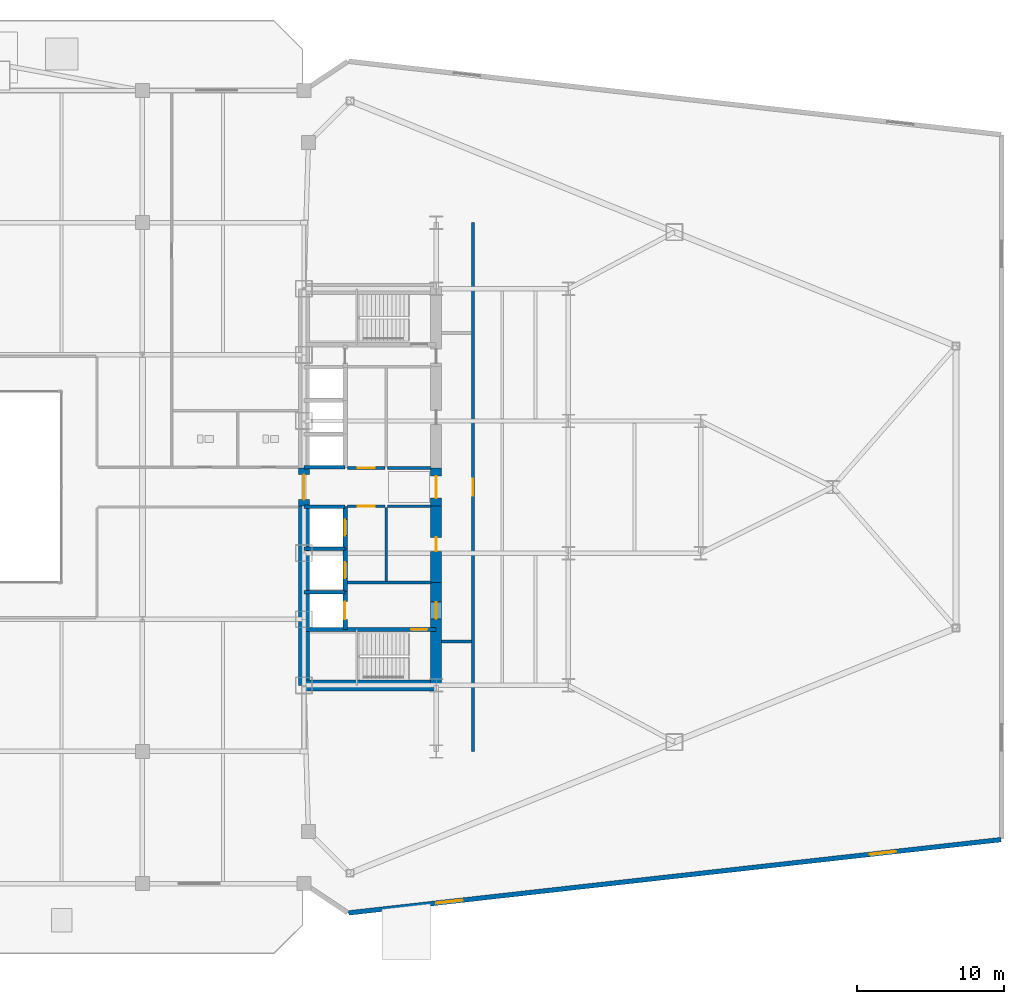
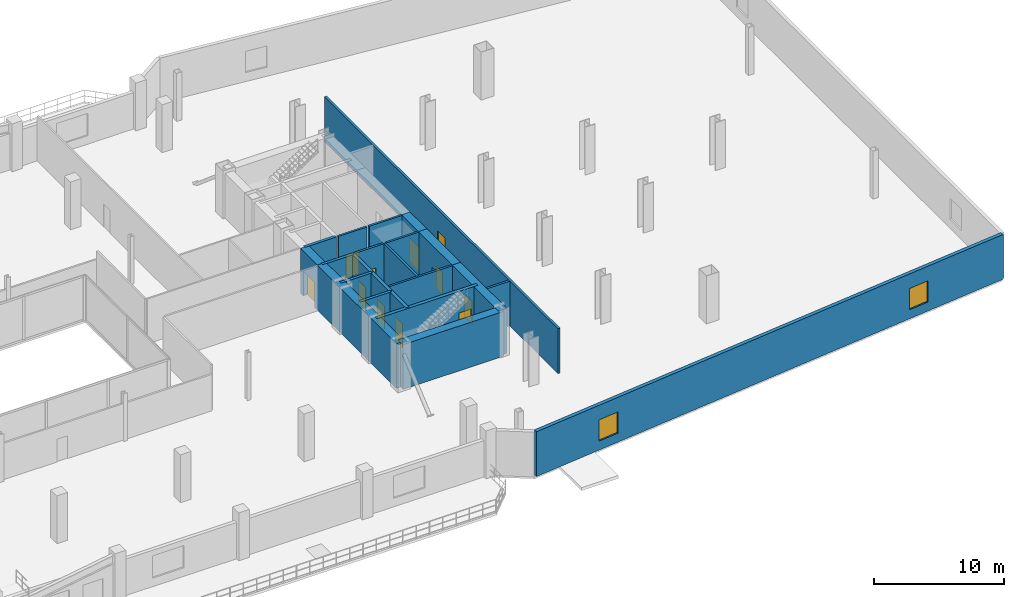
# One storey, part 18 of 25: 23 walls, 11 doors, 2 windows, 13 openings.
"""IFC4 building model written with IfcOpenShell, lengths in metres."""

from ifc_helpers import new_model, si_unit, direction, frame, frame_2d, origin, place, context, subcontext, project, spatial, rectangle, extrude, source, transform, mapped, material, layer, layer_set, type_object, type_shapes, element, fill, save


model = new_model("IFC4")

# Units and contexts
model_context = context("Model", 3, precision=1e-05, world=origin(), true_north=direction((0.0, 1.0)))
body_context = subcontext(model_context, "Body", "Model", "MODEL_VIEW")
ifc_project = project(units=[si_unit("LENGTHUNIT", "METRE"), si_unit("AREAUNIT", "SQUARE_METRE"), si_unit("VOLUMEUNIT", "CUBIC_METRE"), si_unit("PLANEANGLEUNIT", "RADIAN"), si_unit("MASSUNIT", "GRAM", prefix="KILO")], contexts=[model_context])

# Site, building, storey
site_placement = place(None, origin())
site = spatial("IfcSite", under=ifc_project, at=site_placement, CompositionType="ELEMENT")
building_placement = place(site_placement, origin())
building = spatial("IfcBuilding", under=site, at=building_placement, Name="Seokmaru Belvedere", CompositionType="ELEMENT")
storey_placement = place(building_placement, frame((0.0, 0.0, 5.39990234375)))
storey = spatial("IfcBuildingStorey", under=building, at=storey_placement, Name="L01", CompositionType="ELEMENT", Elevation=5.39990234375)

# Walls
ifc_material_1 = material(Name="Fire-Rated Gypsum Shaftwall")
ifc_layer_1 = layer(ifc_material_1, 0.179931640625)
ifc_layer_set_1 = layer_set([ifc_layer_1], Name="Fire-Rated Gypsum Shaftwall")
wall_type_1 = type_object("IfcWallType", Name="Core Service Fire Partition 180", PredefinedType="PARTITIONING", material=ifc_layer_set_1)
wall_1_placement = place(storey_placement, frame((30.449951171875, -6.5, 0.0), z_axis=(0.0, 0.0, 1.0), x_axis=(1.0, 0.0, 0.0)))
element("IfcWall", 1, at=wall_1_placement, inside=storey, type_object=wall_type_1, Name="L01 East Firefighting Lobby Partition", PredefinedType="PARTITIONING", context=body_context, shape_type="SweptSolid", body=[
    extrude(rectangle(XDim=5.699951171875, YDim=0.179931640625, at=frame_2d((2.85009765625, 0.0))), origin(), (0.0, 0.0, 1.0), 4.22021484375),
])
wall_2_placement = place(storey_placement, frame((33.10009765625, -6.419921875, 0.0), z_axis=(0.0, 0.0, 1.0), x_axis=(0.0, 1.0, 0.0)))
element("IfcWall", 2, at=wall_2_placement, inside=storey, type_object=wall_type_1, Name="L01 East South Core Service Back Wall", PredefinedType="PARTITIONING", context=body_context, shape_type="SweptSolid", body=[
    extrude(rectangle(XDim=5.0400390625, YDim=0.179931640625, at=frame_2d((2.52001953125, 0.0))), origin(), (0.0, 0.0, 1.0), 4.22021484375),
])

# Wall, opening, door
wall_3_placement = place(storey_placement, frame((30.449951171875, -1.300048828125, 0.0), z_axis=(0.0, 0.0, 1.0), x_axis=(1.0, 0.0, 0.0)))
wall_3 = element("IfcWall", 3, at=wall_3_placement, inside=storey, type_object=wall_type_1, Name="L01 East South Lift Lobby Foyer Wall", PredefinedType="PARTITIONING", context=body_context, shape_type="SweptSolid", body=[
    extrude(rectangle(XDim=2.570068359375, YDim=0.179931640625, at=frame_2d((1.28515625, 0.0))), origin(), (0.0, 0.0, 1.0), 4.22021484375),
])
opening_1_placement = place(wall_3_placement, frame((0.7099609375, 0.0, 0.0)))
opening_1 = element("IfcOpeningElement", 4, at=opening_1_placement, cuts=wall_3, Name="Opening D02", PredefinedType="OPENING", context=body_context, shape_type="SweptSolid", body=[
    extrude(rectangle(XDim=1.14990234375, YDim=2.199951171875, at=frame_2d((0.574951171875, 1.10009765625))), frame((0.0, 0.10009765625, 0.0), z_axis=(0.0, -1.0, 0.0), x_axis=(1.0, 0.0, 0.0)), (0.0, 0.0, 1.0), 0.199951171875),
])
ifc_material_2 = material(Name="Fire-Rated Steel Leaf", Category="steel")
door_type_1 = type_object("IfcDoorType", Name="Lobby and Vestibule Fire Door 1150x2200", OperationType="NOTDEFINED", PredefinedType="DOOR", material=ifc_material_2)
shared_shape_1 = source(origin(), body_context, "Body", "SweptSolid", [
    extrude(rectangle(XDim=1.14990234375, YDim=2.199951171875, at=frame_2d((0.574951171875, 1.10009765625))), frame((0.0, 0.02490234375, 0.0), z_axis=(0.0, -1.0, 0.0), x_axis=(1.0, 0.0, 0.0)), (0.0, 0.0, 1.0), 0.050048828125),
])
type_shapes(door_type_1, [shared_shape_1])
door_1_placement = place(opening_1_placement, origin())
door_1 = element("IfcDoor", 5, at=door_1_placement, inside=storey, type_object=door_type_1, Name="L01 East South Core Foyer Door", OperationType="SINGLE_SWING_RIGHT", OverallHeight=2.199951171875, OverallWidth=1.14990234375, PredefinedType="DOOR", context=body_context, shape_type="MappedRepresentation", body=[
    mapped(shared_shape_1, transform((0.0, 0.0, 0.0), scale=1.0)),
])
fill(opening_1, door_1)

wall_4_placement = place(storey_placement, frame((30.449951171875, 1.300048828125, 0.0), z_axis=(0.0, 0.0, 1.0), x_axis=(1.0, 0.0, 0.0)))
wall_4 = element("IfcWall", 6, at=wall_4_placement, inside=storey, type_object=wall_type_1, Name="L01 East North Lift Lobby Foyer Wall", PredefinedType="PARTITIONING", context=body_context, shape_type="SweptSolid", body=[
    extrude(rectangle(XDim=2.570068359375, YDim=0.179931640625, at=frame_2d((1.28515625, 0.0))), origin(), (0.0, 0.0, 1.0), 4.22021484375),
])
opening_2_placement = place(wall_4_placement, frame((0.7099609375, 0.0, 0.0)))
opening_2 = element("IfcOpeningElement", 7, at=opening_2_placement, cuts=wall_4, Name="Opening D02", PredefinedType="OPENING", context=body_context, shape_type="SweptSolid", body=[
    extrude(rectangle(XDim=1.14990234375, YDim=2.199951171875, at=frame_2d((0.574951171875, 1.10009765625))), frame((0.0, 0.10009765625, 0.0), z_axis=(0.0, -1.0, 0.0), x_axis=(1.0, 0.0, 0.0)), (0.0, 0.0, 1.0), 0.199951171875),
])
door_2_placement = place(opening_2_placement, origin())
door_2 = element("IfcDoor", 8, at=door_2_placement, inside=storey, type_object=door_type_1, Name="L01 East North Lift Lobby Door", OperationType="SINGLE_SWING_LEFT", OverallHeight=2.199951171875, OverallWidth=1.14990234375, PredefinedType="DOOR", context=body_context, shape_type="MappedRepresentation", body=[
    mapped(shared_shape_1, transform((0.0, 0.0, 0.0), scale=1.0)),
])
fill(opening_2, door_2)

# Walls
for number, where, z_axis, x_axis, name in (
    (9, (33.199951171875, -1.300048828125, 0.0), (0.0, 0.0, 1.0), (1.0, 0.0, 0.0), "L01 East Foyer Side Wall S"),
    (10, (33.199951171875, 1.300048828125, 0.0), (0.0, 0.0, 1.0), (1.0, 0.0, 0.0), "L01 East Foyer Side Wall N"),
):
    element("IfcWall", number, at=place(storey_placement, frame(where, z_axis=z_axis, x_axis=x_axis)), inside=storey, type_object=wall_type_1, Name=name, PredefinedType="PARTITIONING", context=body_context, shape_type="SweptSolid", body=[
        extrude(rectangle(XDim=2.949951171875, YDim=0.179931640625, at=frame_2d((1.47509765625, 0.0))), origin(), (0.0, 0.0, 1.0), 4.22021484375),
    ])
ifc_material_3 = material(Name="Concrete C50 (50 MPa)", Category="concrete")
ifc_layer_2 = layer(ifc_material_3, 0.25)
ifc_layer_set_2 = layer_set([ifc_layer_2], Name="Concrete C50 (50 MPa)")
wall_type_2 = type_object("IfcWallType", Name="Hoistway Transverse Concrete Divider Wall 250", PredefinedType="SHEAR", material=ifc_layer_set_2)
for number, where, z_axis, x_axis, name in (
    (11, (27.5, -7.14990234375, 0.0), (0.0, 0.0, 1.0), (1.0, 0.0, 0.0), "L01 East Hoistway Divider Core Wall 1"),
    (12, (27.5, -4.199951171875, 0.0), (0.0, 0.0, 1.0), (1.0, 0.0, 0.0), "L01 East Hoistway Divider Core Wall 2"),
    (13, (27.5, -1.35009765625, 0.0), (0.0, 0.0, 1.0), (1.0, 0.0, 0.0), "L01 East Hoistway Divider Core Wall 3"),
    (14, (27.5, 1.35009765625, 0.0), (0.0, 0.0, 1.0), (1.0, 0.0, 0.0), "L01 East Hoistway Divider Core Wall 4"),
):
    element("IfcWall", number, at=place(storey_placement, frame(where, z_axis=z_axis, x_axis=x_axis)), inside=storey, type_object=wall_type_2, Name=name, PredefinedType="SHEAR", context=body_context, shape_type="SweptSolid", body=[
        extrude(rectangle(XDim=2.800048828125, YDim=0.25, at=frame_2d((1.39990234375, 0.0))), origin(), (0.0, 0.0, 1.0), 4.22021484375),
    ])
ifc_layer_3 = layer(ifc_material_1, 0.199951171875)
ifc_layer_set_3 = layer_set([ifc_layer_3], Name="Fire-Rated Gypsum Shaftwall")
wall_type_3 = type_object("IfcWallType", Name="Inter-Tenancy Fire Compartment Partition 200", PredefinedType="PARTITIONING", material=ifc_layer_set_3)
wall_5_placement = place(storey_placement, frame((36.8798828125, -10.5, 0.0), z_axis=(0.0, 0.0, 1.0), x_axis=(1.0, 0.0, 0.0)))
element("IfcWall", 15, at=wall_5_placement, inside=storey, type_object=wall_type_3, Name="L01 Interior Partition 002", PredefinedType="PARTITIONING", context=body_context, shape_type="SweptSolid", body=[
    extrude(rectangle(XDim=2.03515625, YDim=0.199951171875, at=frame_2d((1.017578125, 0.0))), origin(), (0.0, 0.0, 1.0), 4.22021484375),
])

# Wall, opening, door
wall_6_placement = place(storey_placement, frame((39.0, -18.0, 0.0), z_axis=(0.0, 0.0, 1.0), x_axis=(0.0, 1.0, 0.0)))
wall_6 = element("IfcWall", 16, at=wall_6_placement, inside=storey, type_object=wall_type_3, Name="L01 Interior Partition 019", PredefinedType="PARTITIONING", context=body_context, shape_type="SweptSolid", body=[
    extrude(rectangle(XDim=36.0, YDim=0.199951171875, at=frame_2d((18.0, 0.0))), origin(), (0.0, 0.0, 1.0), 4.22021484375),
])
opening_3_placement = place(wall_6_placement, frame((17.425048828125, 0.0, 0.0)))
opening_3 = element("IfcOpeningElement", 17, at=opening_3_placement, cuts=wall_6, Name="Opening D02", PredefinedType="OPENING", context=body_context, shape_type="SweptSolid", body=[
    extrude(rectangle(XDim=1.14990234375, YDim=2.199951171875, at=frame_2d((0.574951171875, 1.10009765625))), frame((0.0, 0.10986328125, 0.0), z_axis=(0.0, -1.0, 0.0), x_axis=(1.0, 0.0, 0.0)), (0.0, 0.0, 1.0), 0.219970703125),
])
door_3_placement = place(opening_3_placement, origin())
door_3 = element("IfcDoor", 18, at=door_3_placement, inside=storey, type_object=door_type_1, Name="L01 Interior Door 002", OperationType="SINGLE_SWING_RIGHT", OverallHeight=2.199951171875, OverallWidth=1.14990234375, PredefinedType="DOOR", context=body_context, shape_type="MappedRepresentation", body=[
    mapped(shared_shape_1, transform((0.0, 0.0, 0.0), scale=1.0)),
])
fill(opening_3, door_3)

ifc_layer_4 = layer(ifc_material_3, 0.300048828125)
ifc_layer_set_4 = layer_set([ifc_layer_4], Name="Concrete C50 (50 MPa)")
wall_type_4 = type_object("IfcWallType", Name="Internal Core Stair and Hoistway Wall 300", PredefinedType="SHEAR", material=ifc_layer_set_4)
wall_7_placement = place(storey_placement, frame((27.5, -9.699951171875, 0.0), z_axis=(0.0, 0.0, 1.0), x_axis=(1.0, 0.0, 0.0)))
wall_7 = element("IfcWall", 19, at=wall_7_placement, inside=storey, type_object=wall_type_4, Name="L01 East Stair ST-1 Enclosure Wall", PredefinedType="SHEAR", context=body_context, shape_type="SweptSolid", body=[
    extrude(rectangle(XDim=9.0, YDim=0.300048828125, at=frame_2d((4.5, 0.0))), origin(), (0.0, 0.0, 1.0), 4.22021484375),
])
opening_4_placement = place(wall_7_placement, frame((7.300048828125, 0.0, 0.0)))
opening_4 = element("IfcOpeningElement", 20, at=opening_4_placement, cuts=wall_7, Name="Opening D01", PredefinedType="OPENING", context=body_context, shape_type="SweptSolid", body=[
    extrude(rectangle(XDim=1.10009765625, YDim=2.199951171875, at=frame_2d((0.550048828125, 1.10009765625))), frame((0.0, 0.16015625, 0.0), z_axis=(0.0, -1.0, 0.0), x_axis=(1.0, 0.0, 0.0)), (0.0, 0.0, 1.0), 0.320068359375),
])
door_type_2 = type_object("IfcDoorType", Name="Special Escape Stair Smokeproof Fire Door 1100x2200", OperationType="NOTDEFINED", PredefinedType="DOOR", material=ifc_material_2)
shared_shape_2 = source(origin(), body_context, "Body", "SweptSolid", [
    extrude(rectangle(XDim=1.10009765625, YDim=2.199951171875, at=frame_2d((0.550048828125, 1.10009765625))), frame((0.0, 0.02490234375, 0.0), z_axis=(0.0, -1.0, 0.0), x_axis=(1.0, 0.0, 0.0)), (0.0, 0.0, 1.0), 0.050048828125),
])
type_shapes(door_type_2, [shared_shape_2])
door_4_placement = place(opening_4_placement, frame((1.10009765625, 0.0, 0.0), z_axis=(0.0, 0.0, 1.0), x_axis=(-1.0, 0.0, 0.0)))
door_4 = element("IfcDoor", 21, at=door_4_placement, inside=storey, type_object=door_type_2, Name="L01 East Special Escape Stair ST-1 Door", OperationType="SINGLE_SWING_RIGHT", OverallHeight=2.199951171875, OverallWidth=1.10009765625, PredefinedType="DOOR", context=body_context, shape_type="MappedRepresentation", body=[
    mapped(shared_shape_2, transform((0.0, 0.0, 0.0), scale=1.0)),
])
fill(opening_4, door_4)

wall_8_placement = place(storey_placement, frame((30.300048828125, -9.679931640625, 0.0), z_axis=(0.0, 0.0, 1.0), x_axis=(0.0, 1.0, 0.0)))
wall_8 = element("IfcWall", 22, at=wall_8_placement, inside=storey, type_object=wall_type_4, Name="L01 East Firefighting Lift Shaft Front Wall", PredefinedType="SHEAR", context=body_context, shape_type="SweptSolid", body=[
    extrude(rectangle(XDim=2.559814453125, YDim=0.300048828125, at=frame_2d((1.27978515625, 0.0))), origin(), (0.0, 0.0, 1.0), 4.22021484375),
])
opening_5_placement = place(wall_8_placement, frame((0.679931640625, 0.0, 0.0)))
opening_5 = element("IfcOpeningElement", 23, at=opening_5_placement, cuts=wall_8, Name="Opening LD2", PredefinedType="OPENING", context=body_context, shape_type="SweptSolid", body=[
    extrude(rectangle(XDim=1.199951171875, YDim=2.25, at=frame_2d((0.60009765625, 1.125))), frame((0.0, 0.16015625, 0.0), z_axis=(0.0, -1.0, 0.0), x_axis=(1.0, 0.0, 0.0)), (0.0, 0.0, 1.0), 0.320068359375),
])
ifc_material_4 = material(Name="Stainless Steel 316", Category="steel")
door_type_3 = type_object("IfcDoorType", Name="Firefighting Lift Sliding Landing Door 1200x2250", OperationType="DOUBLE_DOOR_SLIDING", PredefinedType="DOOR", material=ifc_material_4)
shared_shape_3 = source(origin(), body_context, "Body", "SweptSolid", [
    extrude(rectangle(XDim=1.199951171875, YDim=2.25, at=frame_2d((0.60009765625, 1.125))), frame((0.0, 0.02490234375, 0.0), z_axis=(0.0, -1.0, 0.0), x_axis=(1.0, 0.0, 0.0)), (0.0, 0.0, 1.0), 0.050048828125),
])
type_shapes(door_type_3, [shared_shape_3])
door_5_placement = place(opening_5_placement, origin())
door_5 = element("IfcDoor", 24, at=door_5_placement, inside=storey, type_object=door_type_3, Name="L01 East Firefighting Lift Landing Door", OperationType="DOUBLE_DOOR_SLIDING", OverallHeight=2.25, OverallWidth=1.199951171875, PredefinedType="DOOR", context=body_context, shape_type="MappedRepresentation", body=[
    mapped(shared_shape_3, transform((0.0, 0.0, 0.0), scale=1.0)),
])
fill(opening_5, door_5)

wall_9_placement = place(storey_placement, frame((30.300048828125, -7.1201171875, 0.0), z_axis=(0.0, 0.0, 1.0), x_axis=(0.0, 1.0, 0.0)))
wall_9 = element("IfcWall", 25, at=wall_9_placement, inside=storey, type_object=wall_type_4, Name="L01 East Low-Rise Lift PL-1 Front Wall", PredefinedType="SHEAR", context=body_context, shape_type="SweptSolid", body=[
    extrude(rectangle(XDim=2.920166015625, YDim=0.300048828125, at=frame_2d((1.4599609375, 0.0))), origin(), (0.0, 0.0, 1.0), 4.22021484375),
])
opening_6_placement = place(wall_9_placement, frame((0.909912109375, 0.0, 0.0)))
opening_6 = element("IfcOpeningElement", 26, at=opening_6_placement, cuts=wall_9, Name="Opening LD1", PredefinedType="OPENING", context=body_context, shape_type="SweptSolid", body=[
    extrude(rectangle(XDim=1.10009765625, YDim=2.199951171875, at=frame_2d((0.550048828125, 1.10009765625))), frame((0.0, 0.16015625, 0.0), z_axis=(0.0, -1.0, 0.0), x_axis=(1.0, 0.0, 0.0)), (0.0, 0.0, 1.0), 0.320068359375),
])
door_type_4 = type_object("IfcDoorType", Name="Passenger Lift Sliding Landing Door 1100x2200", OperationType="DOUBLE_DOOR_SLIDING", PredefinedType="DOOR", material=ifc_material_4)
shared_shape_4 = source(origin(), body_context, "Body", "SweptSolid", [
    extrude(rectangle(XDim=1.10009765625, YDim=2.199951171875, at=frame_2d((0.550048828125, 1.10009765625))), frame((0.0, 0.02490234375, 0.0), z_axis=(0.0, -1.0, 0.0), x_axis=(1.0, 0.0, 0.0)), (0.0, 0.0, 1.0), 0.050048828125),
])
type_shapes(door_type_4, [shared_shape_4])
door_6_placement = place(opening_6_placement, origin())
door_6 = element("IfcDoor", 27, at=door_6_placement, inside=storey, type_object=door_type_4, Name="L01 East Low-Rise Lift PL-1 Landing Door", OperationType="DOUBLE_DOOR_SLIDING", OverallHeight=2.199951171875, OverallWidth=1.10009765625, PredefinedType="DOOR", context=body_context, shape_type="MappedRepresentation", body=[
    mapped(shared_shape_4, transform((0.0, 0.0, 0.0), scale=1.0)),
])
fill(opening_6, door_6)

wall_10_placement = place(storey_placement, frame((30.300048828125, -4.199951171875, 0.0), z_axis=(0.0, 0.0, 1.0), x_axis=(0.0, 1.0, 0.0)))
wall_10 = element("IfcWall", 28, at=wall_10_placement, inside=storey, type_object=wall_type_4, Name="L01 East Low-Rise Lift PL-2 Front Wall", PredefinedType="SHEAR", context=body_context, shape_type="SweptSolid", body=[
    extrude(rectangle(XDim=2.8798828125, YDim=0.300048828125, at=frame_2d((1.43994140625, 0.0))), origin(), (0.0, 0.0, 1.0), 4.22021484375),
])
opening_7_placement = place(wall_10_placement, frame((0.889892578125, 0.0, 0.0)))
opening_7 = element("IfcOpeningElement", 29, at=opening_7_placement, cuts=wall_10, Name="Opening LD1", PredefinedType="OPENING", context=body_context, shape_type="SweptSolid", body=[
    extrude(rectangle(XDim=1.10009765625, YDim=2.199951171875, at=frame_2d((0.550048828125, 1.10009765625))), frame((0.0, 0.16015625, 0.0), z_axis=(0.0, -1.0, 0.0), x_axis=(1.0, 0.0, 0.0)), (0.0, 0.0, 1.0), 0.320068359375),
])
door_7_placement = place(opening_7_placement, origin())
door_7 = element("IfcDoor", 30, at=door_7_placement, inside=storey, type_object=door_type_4, Name="L01 East Low-Rise Lift PL-2 Landing Door", OperationType="DOUBLE_DOOR_SLIDING", OverallHeight=2.199951171875, OverallWidth=1.10009765625, PredefinedType="DOOR", context=body_context, shape_type="MappedRepresentation", body=[
    mapped(shared_shape_4, transform((0.0, 0.0, 0.0), scale=1.0)),
])
fill(opening_7, door_7)

# Wall
ifc_material_5 = material(Name="Concrete C60 (60 MPa)", Category="concrete")
ifc_layer_5 = layer(ifc_material_5, 0.75)
ifc_layer_set_5 = layer_set([ifc_layer_5], Name="Concrete C60 (60 MPa)")
wall_type_5 = type_object("IfcWallType", Name="Lower Tower Reinforced Concrete Core Wall 750", PredefinedType="SHEAR", material=ifc_layer_set_5)
wall_11_placement = place(storey_placement, frame((27.5, -13.5, 0.0), z_axis=(0.0, 0.0, 1.0), x_axis=(0.0, 1.0, 0.0)))
element("IfcWall", 31, at=wall_11_placement, inside=storey, type_object=wall_type_5, Name="L01 East Portal Spine Core Wall South", PredefinedType="SHEAR", context=body_context, shape_type="SweptSolid", body=[
    extrude(rectangle(XDim=12.199951171875, YDim=0.75, at=frame_2d((6.10009765625, 0.0))), origin(), (0.0, 0.0, 1.0), 4.22021484375),
])

# Wall, opening, door
wall_12_placement = place(storey_placement, frame((27.5, -1.300048828125, 0.0), z_axis=(0.0, 0.0, 1.0), x_axis=(0.0, 1.0, 0.0)))
wall_12 = element("IfcWall", 32, at=wall_12_placement, inside=storey, type_object=wall_type_5, Name="L01 East Portal Spine Core Wall Center", PredefinedType="SHEAR", context=body_context, shape_type="SweptSolid", body=[
    extrude(rectangle(XDim=2.60009765625, YDim=0.75, at=frame_2d((1.300048828125, 0.0))), origin(), (0.0, 0.0, 1.0), 4.22021484375),
])
opening_8_placement = place(wall_12_placement, frame((0.449951171875, 0.0, 0.0)))
opening_8 = element("IfcOpeningElement", 33, at=opening_8_placement, cuts=wall_12, Name="Opening D09", PredefinedType="OPENING", context=body_context, shape_type="SweptSolid", body=[
    extrude(rectangle(XDim=1.699951171875, YDim=2.35009765625, at=frame_2d((0.85009765625, 1.175048828125))), frame((0.0, 0.385009765625, 0.0), z_axis=(0.0, -1.0, 0.0), x_axis=(1.0, 0.0, 0.0)), (0.0, 0.0, 1.0), 0.77001953125),
])
door_type_5 = type_object("IfcDoorType", Name="Sky-Gate Bridge Inter-Tower Fire Door 1700x2350", OperationType="DOUBLE_SWING_LEFT", PredefinedType="DOOR", material=ifc_material_2)
shared_shape_5 = source(origin(), body_context, "Body", "SweptSolid", [
    extrude(rectangle(XDim=1.699951171875, YDim=2.35009765625, at=frame_2d((0.85009765625, 1.175048828125))), frame((0.0, 0.02490234375, 0.0), z_axis=(0.0, -1.0, 0.0), x_axis=(1.0, 0.0, 0.0)), (0.0, 0.0, 1.0), 0.050048828125),
])
type_shapes(door_type_5, [shared_shape_5])
door_8_placement = place(opening_8_placement, origin())
door_8 = element("IfcDoor", 34, at=door_8_placement, inside=storey, type_object=door_type_5, Name="L01 East Inter-Tower Fire Door", OperationType="DOUBLE_SWING_LEFT", OverallHeight=2.35009765625, OverallWidth=1.699951171875, PredefinedType="DOOR", context=body_context, shape_type="MappedRepresentation", body=[
    mapped(shared_shape_5, transform((0.0, 0.0, 0.0), scale=1.0)),
])
fill(opening_8, door_8)

# Wall
wall_13_placement = place(storey_placement, frame((27.5, -13.5, 0.0), z_axis=(0.0, 0.0, 1.0), x_axis=(1.0, 0.0, 0.0)))
element("IfcWall", 35, at=wall_13_placement, inside=storey, type_object=wall_type_5, Name="L01 East South Core Wall", PredefinedType="SHEAR", context=body_context, shape_type="SweptSolid", body=[
    extrude(rectangle(XDim=9.0, YDim=0.75, at=frame_2d((4.5, 0.0))), origin(), (0.0, 0.0, 1.0), 4.22021484375),
])

# Wall, opening, door
wall_14_placement = place(storey_placement, frame((36.5, -13.64990234375, 0.0), z_axis=(0.0, 0.0, 1.0), x_axis=(0.0, 1.0, 0.0)))
wall_14 = element("IfcWall", 36, at=wall_14_placement, inside=storey, type_object=wall_type_5, Name="L01 East West Core Wall FF", PredefinedType="SHEAR", context=body_context, shape_type="SweptSolid", body=[
    extrude(rectangle(XDim=7.14990234375, YDim=0.75, at=frame_2d((3.574951171875, 0.0))), origin(), (0.0, 0.0, 1.0), 4.22021484375),
])
opening_9_placement = place(wall_14_placement, frame((4.675048828125, 0.0, 0.0)))
opening_9 = element("IfcOpeningElement", 37, at=opening_9_placement, cuts=wall_14, Name="Opening D02", PredefinedType="OPENING", context=body_context, shape_type="SweptSolid", body=[
    extrude(rectangle(XDim=1.14990234375, YDim=2.199951171875, at=frame_2d((0.574951171875, 1.10009765625))), frame((0.0, 0.385009765625, 0.0), z_axis=(0.0, -1.0, 0.0), x_axis=(1.0, 0.0, 0.0)), (0.0, 0.0, 1.0), 0.77001953125),
])
door_9_placement = place(opening_9_placement, origin())
door_9 = element("IfcDoor", 38, at=door_9_placement, inside=storey, type_object=door_type_1, Name="L01 East Firefighting Lobby Door", OperationType="SINGLE_SWING_RIGHT", OverallHeight=2.199951171875, OverallWidth=1.14990234375, PredefinedType="DOOR", context=body_context, shape_type="MappedRepresentation", body=[
    mapped(shared_shape_1, transform((0.0, 0.0, 0.0), scale=1.0)),
])
fill(opening_9, door_9)

wall_15_placement = place(storey_placement, frame((36.5, -1.300048828125, 0.0), z_axis=(0.0, 0.0, 1.0), x_axis=(0.0, 1.0, 0.0)))
wall_15 = element("IfcWall", 39, at=wall_15_placement, inside=storey, type_object=wall_type_5, Name="L01 East West Core Wall FOY", PredefinedType="SHEAR", context=body_context, shape_type="SweptSolid", body=[
    extrude(rectangle(XDim=2.60009765625, YDim=0.75, at=frame_2d((1.300048828125, 0.0))), origin(), (0.0, 0.0, 1.0), 4.22021484375),
])
opening_10_placement = place(wall_15_placement, frame((0.550048828125, 0.0, 0.0)))
opening_10 = element("IfcOpeningElement", 40, at=opening_10_placement, cuts=wall_15, Name="Opening D08", PredefinedType="OPENING", context=body_context, shape_type="SweptSolid", body=[
    extrude(rectangle(XDim=1.5, YDim=2.300048828125, at=frame_2d((0.75, 1.14990234375))), frame((0.0, 0.385009765625, 0.0), z_axis=(0.0, -1.0, 0.0), x_axis=(1.0, 0.0, 0.0)), (0.0, 0.0, 1.0), 0.77001953125),
])
door_type_6 = type_object("IfcDoorType", Name="Cross-Corridor Compartment Double Fire Door 1500x2300", OperationType="DOUBLE_SWING_LEFT", PredefinedType="DOOR", material=ifc_material_2)
shared_shape_6 = source(origin(), body_context, "Body", "SweptSolid", [
    extrude(rectangle(XDim=1.5, YDim=2.300048828125, at=frame_2d((0.75, 1.14990234375))), frame((0.0, 0.02490234375, 0.0), z_axis=(0.0, -1.0, 0.0), x_axis=(1.0, 0.0, 0.0)), (0.0, 0.0, 1.0), 0.050048828125),
])
type_shapes(door_type_6, [shared_shape_6])
door_10_placement = place(opening_10_placement, origin())
door_10 = element("IfcDoor", 41, at=door_10_placement, inside=storey, type_object=door_type_6, Name="L01 East Core Foyer Compartment Door", OperationType="DOUBLE_SWING_LEFT", OverallHeight=2.300048828125, OverallWidth=1.5, PredefinedType="DOOR", context=body_context, shape_type="MappedRepresentation", body=[
    mapped(shared_shape_6, transform((0.0, 0.0, 0.0), scale=1.0)),
])
fill(opening_10, door_10)

wall_16_placement = place(storey_placement, frame((36.5, -6.5, 0.0), z_axis=(0.0, 0.0, 1.0), x_axis=(0.0, 1.0, 0.0)))
wall_16 = element("IfcWall", 42, at=wall_16_placement, inside=storey, type_object=wall_type_5, Name="L01 East West Core Wall CS1", PredefinedType="SHEAR", context=body_context, shape_type="SweptSolid", body=[
    extrude(rectangle(XDim=5.199951171875, YDim=0.75, at=frame_2d((2.60009765625, 0.0))), origin(), (0.0, 0.0, 1.0), 4.22021484375),
])
opening_11_placement = place(wall_16_placement, frame((2.125, 0.0, 0.0)))
opening_11 = element("IfcOpeningElement", 43, at=opening_11_placement, cuts=wall_16, Name="Opening D04", PredefinedType="OPENING", context=body_context, shape_type="SweptSolid", body=[
    extrude(rectangle(XDim=0.949951171875, YDim=2.14990234375, at=frame_2d((0.47509765625, 1.074951171875))), frame((0.0, 0.385009765625, 0.0), z_axis=(0.0, -1.0, 0.0), x_axis=(1.0, 0.0, 0.0)), (0.0, 0.0, 1.0), 0.77001953125),
])
door_type_7 = type_object("IfcDoorType", Name="Core Service Room Fire Door 950x2150", OperationType="NOTDEFINED", PredefinedType="DOOR", material=ifc_material_2)
shared_shape_7 = source(origin(), body_context, "Body", "SweptSolid", [
    extrude(rectangle(XDim=0.949951171875, YDim=2.14990234375, at=frame_2d((0.47509765625, 1.074951171875))), frame((0.0, 0.02490234375, 0.0), z_axis=(0.0, -1.0, 0.0), x_axis=(1.0, 0.0, 0.0)), (0.0, 0.0, 1.0), 0.050048828125),
])
type_shapes(door_type_7, [shared_shape_7])
door_11_placement = place(opening_11_placement, origin())
door_11 = element("IfcDoor", 44, at=door_11_placement, inside=storey, type_object=door_type_7, Name="L01 East Core Service Room Door 1", OperationType="SINGLE_SWING_RIGHT", OverallHeight=2.14990234375, OverallWidth=0.949951171875, PredefinedType="DOOR", context=body_context, shape_type="MappedRepresentation", body=[
    mapped(shared_shape_7, transform((0.0, 0.0, 0.0), scale=1.0)),
])
fill(opening_11, door_11)

# Wall, openings, windows
ifc_material_6 = material(Name="Concrete C40 (40 MPa)", Category="concrete")
ifc_layer_6 = layer(ifc_material_6, 0.320068359375)
ifc_layer_set_6 = layer_set([ifc_layer_6], Name="Concrete C40 (40 MPa)")
wall_type_6 = type_object("IfcWallType", Name="Podium Terrace Insulated Wall 320", PredefinedType="SOLIDWALL", material=ifc_layer_set_6)
wall_17_placement = place(storey_placement, frame((30.539794921875, -28.99560546875, 0.0), z_axis=(0.0, 0.0, 1.0), x_axis=(0.993746430789, 0.111660338952, 0.0)))
wall_17 = element("IfcWall", 45, at=wall_17_placement, inside=storey, type_object=wall_type_6, Name="L01 Exterior Podium Wall 05", PredefinedType="SOLIDWALL", context=body_context, shape_type="SweptSolid", body=[
    extrude(rectangle(XDim=44.699951171875, YDim=0.320068359375, at=frame_2d((22.35009765625, 0.0))), origin(), (0.0, 0.0, 1.0), 4.22021484375),
])
opening_12_placement = place(wall_17_placement, frame((6.0, 0.0, 0.85009765625)))
opening_12 = element("IfcOpeningElement", 46, at=opening_12_placement, cuts=wall_17, Name="Opening WN2", PredefinedType="OPENING", context=body_context, shape_type="SweptSolid", body=[
    extrude(rectangle(XDim=1.800048828125, YDim=2.0, at=frame_2d((0.89990234375, 1.0))), frame((0.0, 0.169921875, 0.0), z_axis=(0.0, -1.0, 0.0), x_axis=(1.0, 0.0, 0.0)), (0.0, 0.0, 1.0), 0.340087890625),
])
opening_13_placement = place(wall_17_placement, frame((35.699951171875, 0.0, 0.85009765625)))
opening_13 = element("IfcOpeningElement", 47, at=opening_13_placement, cuts=wall_17, Name="Opening WN2", PredefinedType="OPENING", context=body_context, shape_type="SweptSolid", body=[
    extrude(rectangle(XDim=1.800048828125, YDim=2.0, at=frame_2d((0.89990234375, 1.0))), frame((0.0, 0.169921875, 0.0), z_axis=(0.0, -1.0, 0.0), x_axis=(1.0, 0.0, 0.0)), (0.0, 0.0, 1.0), 0.340087890625),
])
ifc_material_7 = material(Name="Bronze Triple Insulating Glass", Category="glass")
window_type = type_object("IfcWindowType", Name="Podium Gallery Window 1800x2000", PartitioningType="SINGLE_PANEL", PredefinedType="WINDOW", material=ifc_material_7)
shared_shape_8 = source(origin(), body_context, "Body", "SweptSolid", [
    extrude(rectangle(XDim=1.800048828125, YDim=2.0, at=frame_2d((0.89990234375, 1.0))), frame((0.0, 0.030029296875, 0.0), z_axis=(0.0, -1.0, 0.0), x_axis=(1.0, 0.0, 0.0)), (0.0, 0.0, 1.0), 0.06005859375),
])
type_shapes(window_type, [shared_shape_8])
window_1_placement = place(opening_12_placement, origin())
window_1 = element("IfcWindow", 48, at=window_1_placement, inside=storey, type_object=window_type, Name="L01 Podium Gallery Window 4-1", OverallHeight=2.0, OverallWidth=1.800048828125, PartitioningType="SINGLE_PANEL", PredefinedType="WINDOW", context=body_context, shape_type="MappedRepresentation", body=[
    mapped(shared_shape_8, transform((0.0, 0.0, 0.0), scale=1.0)),
])
fill(opening_12, window_1)
window_2_placement = place(opening_13_placement, origin())
window_2 = element("IfcWindow", 49, at=window_2_placement, inside=storey, type_object=window_type, Name="L01 Podium Gallery Window 4-2", OverallHeight=2.0, OverallWidth=1.800048828125, PartitioningType="SINGLE_PANEL", PredefinedType="WINDOW", context=body_context, shape_type="MappedRepresentation", body=[
    mapped(shared_shape_8, transform((0.0, 0.0, 0.0), scale=1.0)),
])
fill(opening_13, window_2)

save(model, "model.ifc")
